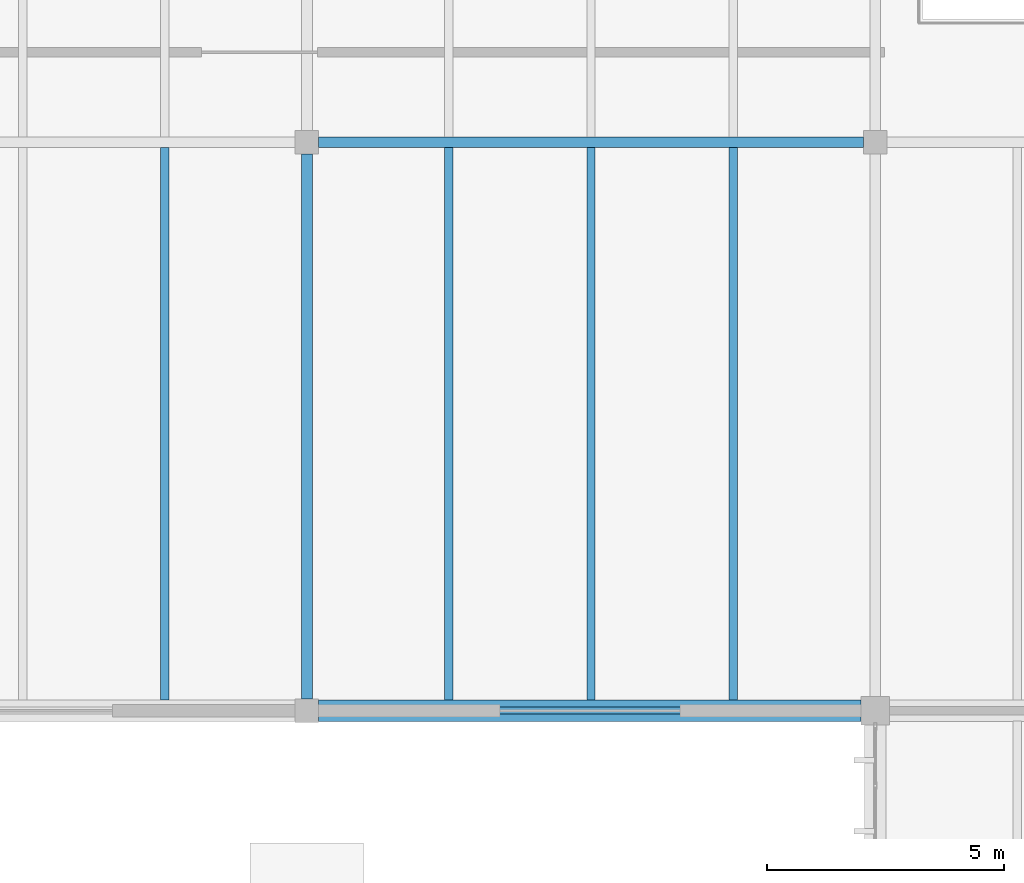
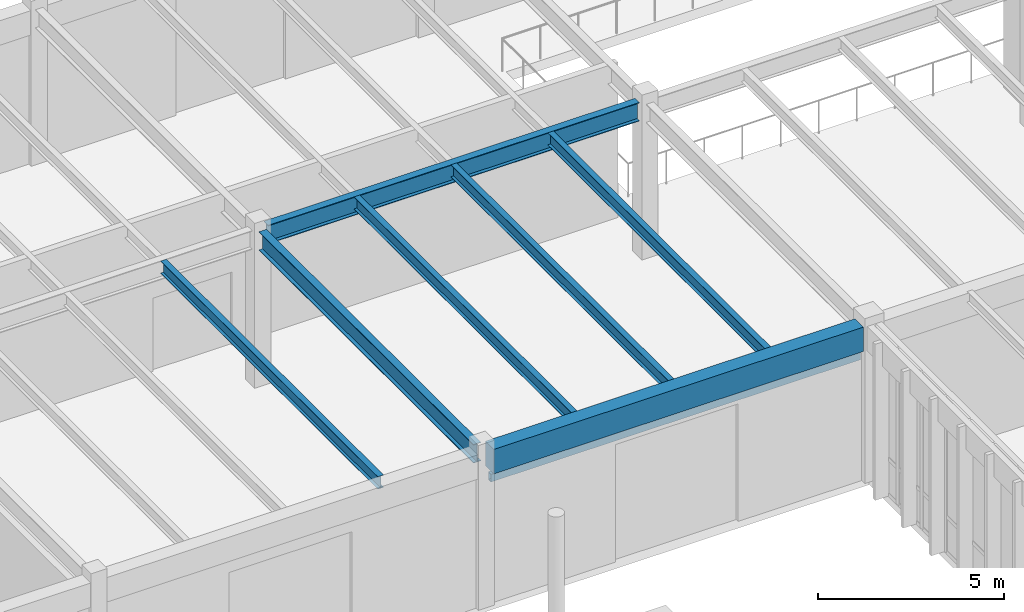
# One storey, part 123 of 188: 8 beams.
"""IFC4 building model written with IfcOpenShell, lengths in metres."""

import ifcopenshell
import ifcopenshell.guid

model = None  # the IFC model being written
_history = None  # IfcOwnerHistory: only IFC2X3 demands one
_inside = {}  # id of a spatial element -> (the spatial element, [elements in it])
_under = {}  # id of a project, library or spatial element -> (it, [spatial elements below it])
_declared = {}  # id of a project -> (the project, [libraries it declares])
_typed = {}  # id of a type object -> (the type object, [elements of that type])
_made_of = {}  # id of a material, layer set ... -> (it, [elements and type objects made of it])


def new_model(schema):
    """Start an empty IFC model of exactly this schema.

    Asked for "IFC4X3", IfcOpenShell would pick the latest addendum, in which some entities
    have other attributes; the version numbers below select the first issue.
    IFC2X3 requires an IfcOwnerHistory on every rooted entity: one is made here for all.
    """
    global model, _history
    if schema == "IFC4X3":
        model = ifcopenshell.file(schema_version=(4, 3, 0, 0))
    else:
        model = ifcopenshell.file(schema=schema)
    _inside.clear()
    _under.clear()
    _declared.clear()
    _typed.clear()
    _made_of.clear()
    _history = None
    if model.schema == "IFC2X3":
        org = make("IfcOrganization", Name="unknown")
        user = make(
            "IfcPersonAndOrganization",
            ThePerson=make("IfcPerson", FamilyName="unknown"),
            TheOrganization=org,
        )
        app = make(
            "IfcApplication",
            ApplicationDeveloper=org,
            Version="unknown",
            ApplicationFullName="unknown",
            ApplicationIdentifier="unknown",
        )
        _history = make(
            "IfcOwnerHistory",
            OwningUser=user,
            OwningApplication=app,
            ChangeAction="ADDED",
            CreationDate=0,
        )
    return model


def make(cls, **values):
    """One entity of the class cls with the attributes given. An attribute that is None is left unset."""
    return model.create_entity(
        cls, **{name: value for name, value in values.items() if value is not None}
    )


def rooted(cls, **values):
    """An entity with a GlobalId (a new one), such as an element, a storey or a relation."""
    return make(cls, GlobalId=ifcopenshell.guid.new(), OwnerHistory=_history, **values)


def si_unit(unit_type, name, prefix=None):
    """IfcSIUnit, for example si_unit("LENGTHUNIT", "METRE", prefix="MILLI")."""
    return make("IfcSIUnit", UnitType=unit_type, Prefix=prefix, Name=name)


def assignment(units):
    """IfcUnitAssignment: the units of a project."""
    return None if units is None else make("IfcUnitAssignment", Units=units)


def point(xyz):
    """IfcCartesianPoint."""
    return None if xyz is None else make("IfcCartesianPoint", Coordinates=xyz)


def direction(xyz):
    """IfcDirection."""
    return None if xyz is None else make("IfcDirection", DirectionRatios=xyz)


def frame(location, z_axis=None, x_axis=None):
    """IfcAxis2Placement3D, a coordinate frame: its origin and axes. An axis left out is left unset."""
    return make(
        "IfcAxis2Placement3D",
        Location=point(location),
        Axis=direction(z_axis),
        RefDirection=direction(x_axis),
    )


def frame_2d(location, x_axis=None):
    """IfcAxis2Placement2D, a coordinate frame in the plane: its origin and x axis."""
    return make(
        "IfcAxis2Placement2D", Location=point(location), RefDirection=direction(x_axis)
    )


def origin():
    """The frame at (0, 0, 0) with its axes left unset."""
    return frame((0.0, 0.0, 0.0))


def origin_2d():
    """The frame at (0, 0) in the plane with its x axis left unset."""
    return frame_2d((0.0, 0.0))


def place(relative_to, where):
    """IfcLocalPlacement: puts the frame where relative to a parent placement (None: the world)."""
    return make(
        "IfcLocalPlacement", PlacementRelTo=relative_to, RelativePlacement=where
    )


def context(
    kind, dimensions, precision=None, world=None, true_north=None, identifier=None
):
    """IfcGeometricRepresentationContext, for example the 3D "Model" context."""
    return make(
        "IfcGeometricRepresentationContext",
        ContextIdentifier=identifier,
        ContextType=kind,
        CoordinateSpaceDimension=dimensions,
        Precision=precision,
        WorldCoordinateSystem=world,
        TrueNorth=true_north,
    )


def subcontext(parent, identifier, kind, view, scale=None):
    """IfcGeometricRepresentationSubContext, for example "Body" below "Model"."""
    return make(
        "IfcGeometricRepresentationSubContext",
        ContextIdentifier=identifier,
        ContextType=kind,
        ParentContext=parent,
        TargetScale=scale,
        TargetView=view,
    )


def project(units=None, contexts=None):
    """IfcProject with its units and contexts."""
    return rooted(
        "IfcProject",
        Name="project",
        RepresentationContexts=contexts,
        UnitsInContext=assignment(units),
    )


def spatial(cls, under=None, at=None, **own):
    """A site, building, storey or space (cls), placed at a placement, below another one or the project."""
    s = rooted(cls, ObjectPlacement=at, **own)
    if under is not None:
        _under.setdefault(under.id(), (under, []))[1].append(s)
    return s


def profile(cls, at=None, kind="AREA", **sizes):
    """A parametric profile (cls). Its sizes go by their IFC names, for example OverallWidth=200.0."""
    return make(cls, ProfileType=kind, Position=at, **sizes)


def rectangle(**sizes):
    """IfcRectangleProfileDef."""
    return profile("IfcRectangleProfileDef", **sizes)


def hollow_rectangle(**sizes):
    """IfcRectangleHollowProfileDef."""
    return profile("IfcRectangleHollowProfileDef", **sizes)


def i_section(**sizes):
    """IfcIShapeProfileDef."""
    return profile("IfcIShapeProfileDef", **sizes)


def extrude(swept, where, along, depth):
    """IfcExtrudedAreaSolid: the profile swept, set in the frame where, extruded along a direction by depth."""
    return make(
        "IfcExtrudedAreaSolid",
        SweptArea=swept,
        Position=where,
        ExtrudedDirection=direction(along),
        Depth=depth,
    )


def shape(context_of_items, identifier, shape_type, items):
    """IfcShapeRepresentation: the items that make up one representation, for example the "Body"."""
    return make(
        "IfcShapeRepresentation",
        ContextOfItems=context_of_items,
        RepresentationIdentifier=identifier,
        RepresentationType=shape_type,
        Items=items,
    )


def material(Name=None, Category=None):
    """IfcMaterial."""
    return make("IfcMaterial", Name=Name, Category=Category)


def material_profile(
    of_material, cross_section, Name=None, Category=None, Priority=None
):
    """IfcMaterialProfile: a cross section and its material."""
    return make(
        "IfcMaterialProfile",
        Name=Name,
        Material=of_material,
        Profile=cross_section,
        Priority=Priority,
        Category=Category,
    )


def profile_set(profiles, Name=None, composite=None):
    """IfcMaterialProfileSet."""
    return make(
        "IfcMaterialProfileSet",
        Name=Name,
        MaterialProfiles=profiles,
        CompositeProfile=composite,
    )


def made_of(thing, what):
    """Note that an element or type object is made of a material, layer set ...; save() writes the relation."""
    if what is not None:
        _made_of.setdefault(what.id(), (what, []))[1].append(thing)
    return thing


def type_object(cls, material=None, **own):
    """A type object (cls), such as IfcWallType, which elements share."""
    return made_of(rooted(cls, **own), material)


def element(
    cls,
    number,
    at=None,
    inside=None,
    cuts=None,
    type_object=None,
    material=None,
    context=None,
    identifier="Body",
    shape_type=None,
    held_by="IfcProductDefinitionShape",
    body=None,
    shapes=None,
    **own,
):
    """One element of the class cls, such as IfcWall. Its Tag is "e" and its number.

    at: its placement. inside: the storey or other place that contains it. cuts: it is an
    opening in that element (IfcRelVoidsElement). A single representation is given by context,
    identifier, shape_type and body (its items); several are given by shapes. held_by: the class
    of the entity that holds the representations. save() writes the other relations.
    """
    e = rooted(cls, Tag="e%d" % number, ObjectPlacement=at, **own)
    if body is not None:
        shapes = [shape(context, identifier, shape_type, body)]
    if shapes is not None:
        e.Representation = make(held_by, Representations=shapes)
    if inside is not None:
        _inside.setdefault(inside.id(), (inside, []))[1].append(e)
    if cuts is not None:
        rooted(
            "IfcRelVoidsElement", RelatingBuildingElement=cuts, RelatedOpeningElement=e
        )
    if type_object is not None:
        _typed.setdefault(type_object.id(), (type_object, []))[1].append(e)
    return made_of(e, material)


def aggregate(whole, parts):
    """IfcRelAggregates: a whole, such as a stair, and the parts it consists of."""
    return rooted("IfcRelAggregates", RelatingObject=whole, RelatedObjects=parts)


def save(model, path):
    """Write the relations noted so far, then the file.

    IfcRelAggregates (storeys below a building ...), IfcRelContainedInSpatialStructure (elements
    in a storey), IfcRelDefinesByType, IfcRelAssociatesMaterial and IfcRelDeclares: one each for
    every whole, place, type object, material and project.
    """
    for whole, parts in _under.values():
        aggregate(whole, parts)
    for where, things in _inside.values():
        rooted(
            "IfcRelContainedInSpatialStructure",
            RelatedElements=things,
            RelatingStructure=where,
        )
    for kind, things in _typed.values():
        rooted("IfcRelDefinesByType", RelatedObjects=things, RelatingType=kind)
    for what, things in _made_of.values():
        rooted("IfcRelAssociatesMaterial", RelatedObjects=things, RelatingMaterial=what)
    for by, libraries in _declared.values():
        rooted("IfcRelDeclares", RelatingContext=by, RelatedDefinitions=libraries)
    model.write(path)


model = new_model("IFC4")

# Units and contexts
model_context = context("Model", 3, precision=1e-05, world=origin(), true_north=direction((0.0, 1.0)))
body_context = subcontext(model_context, "Body", "Model", "MODEL_VIEW")
ifc_project = project(units=[si_unit("LENGTHUNIT", "METRE"), si_unit("AREAUNIT", "SQUARE_METRE"), si_unit("VOLUMEUNIT", "CUBIC_METRE"), si_unit("PLANEANGLEUNIT", "RADIAN"), si_unit("MASSUNIT", "GRAM", prefix="KILO")], contexts=[model_context])

# Site, building, storey
site_placement = place(None, origin())
site = spatial("IfcSite", under=ifc_project, at=site_placement, CompositionType="ELEMENT")
building_placement = place(site_placement, origin())
building = spatial("IfcBuilding", under=site, at=building_placement, Name="Pandanus Reach Market Hall", CompositionType="ELEMENT")
storey_placement = place(building_placement, origin())
storey = spatial("IfcBuildingStorey", under=building, at=storey_placement, Name="L00", CompositionType="ELEMENT", Elevation=0.0)

# Beams
ifc_material_1 = material(Name="Concrete N40 (40 MPa)", Category="concrete")
ifc_material_profile_1 = material_profile(ifc_material_1, rectangle(XDim=0.449951171875, YDim=0.800048828125, at=origin_2d()), Name="RC450x800", Category="LoadBearing")
ifc_profile_set_1 = profile_set([ifc_material_profile_1], Name="Concrete N40 (40 MPa)")
beam_type_1 = type_object("IfcBeamType", Name="BM-RC450-E", PredefinedType="SPANDREL", material=ifc_profile_set_1)
beam_1_placement = place(storey_placement, frame((132.248046875, 96.0, 4.68505859375), z_axis=(1.0, 0.0, 0.0), x_axis=(0.0, 1.0, 0.0)))
element("IfcBeam", 1, at=beam_1_placement, inside=storey, type_object=beam_type_1, Name="Framing beam BM-RC450-E L00.762", PredefinedType="SPANDREL", context=body_context, shape_type="SweptSolid", body=[
    extrude(rectangle(XDim=0.449951171875, YDim=0.800048828125, at=origin_2d()), origin(), (0.0, 0.0, 1.0), 11.453857421875),
])
ifc_material_2 = material(Name="Steel Grade 350 (350 MPa)", Category="steel")
ifc_material_profile_2 = material_profile(ifc_material_2, i_section(OverallWidth=0.22900390625, OverallDepth=0.612060546875, WebThickness=0.011962890625, FlangeThickness=0.01953125, at=origin_2d()), Name="610UB125", Category="LoadBearing")
ifc_profile_set_2 = profile_set([ifc_material_profile_2], Name="Steel Grade 350 (350 MPa)")
beam_type_2 = type_object("IfcBeamType", Name="BM-UB610-I", PredefinedType="BEAM", material=ifc_profile_set_2)
for number, where, z_axis, x_axis, name in (
    (2, (132.248046875, 108.0, 4.778564453125), (1.0, 0.0, 0.0), (0.0, 1.0, 0.0), "Framing beam BM-UB610-I L00.769"),
    (3, (132.0, 96.248046875, 4.778564453125), (0.0, 1.0, 0.0), (-1.0, 0.0, 0.0), "Framing beam BM-UB610-I L00.795"),
):
    element("IfcBeam", number, at=place(storey_placement, frame(where, z_axis=z_axis, x_axis=x_axis)), inside=storey, type_object=beam_type_2, Name=name, PredefinedType="BEAM", context=body_context, shape_type="SweptSolid", body=[
        extrude(i_section(OverallWidth=0.22900390625, OverallDepth=0.612060546875, WebThickness=0.011962890625, FlangeThickness=0.01953125, at=origin_2d()), origin(), (0.0, 0.0, 1.0), 11.50390625),
    ])
ifc_material_profile_3 = material_profile(ifc_material_2, i_section(OverallWidth=0.177978515625, OverallDepth=0.406005859375, WebThickness=0.0078125, FlangeThickness=0.0126953125, at=origin_2d()), Name="410UB59.7", Category="LoadBearing")
ifc_profile_set_3 = profile_set([ifc_material_profile_3], Name="Steel Grade 350 (350 MPa)")
beam_type_3 = type_object("IfcBeamType", Name="JS-UB410-I", PredefinedType="JOIST", material=ifc_profile_set_3)
for number, where, z_axis, x_axis, name in (
    (4, (129.0, 96.222900390625, 4.881591796875), (0.0, 1.0, 0.0), (-1.0, 0.0, 0.0), "Secondary joist JS-UB410-I L00.829"),
    (5, (135.0, 96.222900390625, 4.881591796875), (0.0, 1.0, 0.0), (-1.0, 0.0, 0.0), "Secondary joist JS-UB410-I L00.833"),
    (6, (138.0, 96.222900390625, 4.881591796875), (0.0, 1.0, 0.0), (-1.0, 0.0, 0.0), "Secondary joist JS-UB410-I L00.834"),
    (7, (141.0, 96.222900390625, 4.881591796875), (0.0, 1.0, 0.0), (-1.0, 0.0, 0.0), "Secondary joist JS-UB410-I L00.835"),
):
    element("IfcBeam", number, at=place(storey_placement, frame(where, z_axis=z_axis, x_axis=x_axis)), inside=storey, type_object=beam_type_3, Name=name, PredefinedType="JOIST", context=body_context, shape_type="SweptSolid", body=[
        extrude(i_section(OverallWidth=0.177978515625, OverallDepth=0.406005859375, WebThickness=0.0078125, FlangeThickness=0.0126953125, at=origin_2d()), origin(), (0.0, 0.0, 1.0), 11.66455078125),
    ])
ifc_material_profile_4 = material_profile(ifc_material_2, hollow_rectangle(XDim=0.14990234375, YDim=0.25, WallThickness=0.009033203125, at=origin_2d()), Name="250x150x9.0RHS", Category="LoadBearing")
ifc_profile_set_4 = profile_set([ifc_material_profile_4], Name="Steel Grade 350 (350 MPa)")
beam_type_4 = type_object("IfcBeamType", Name="LN-RHS250-E", PredefinedType="LINTEL", material=ifc_profile_set_4)
beam_2_placement = place(storey_placement, frame((132.248046875, 96.0, 4.050048828125), z_axis=(1.0, 0.0, 0.0), x_axis=(0.0, 1.0, 0.0)))
element("IfcBeam", 8, at=beam_2_placement, inside=storey, type_object=beam_type_4, Name="Dock opening lintel 2", PredefinedType="LINTEL", context=body_context, shape_type="SweptSolid", body=[
    extrude(hollow_rectangle(XDim=0.14990234375, YDim=0.25, WallThickness=0.009033203125, at=origin_2d()), origin(), (0.0, 0.0, 1.0), 11.453857421875),
])

save(model, "model.ifc")
